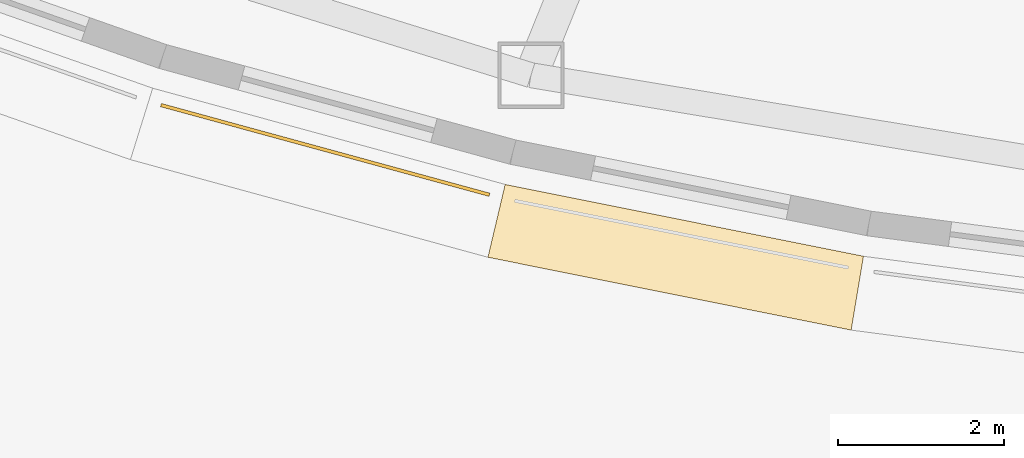
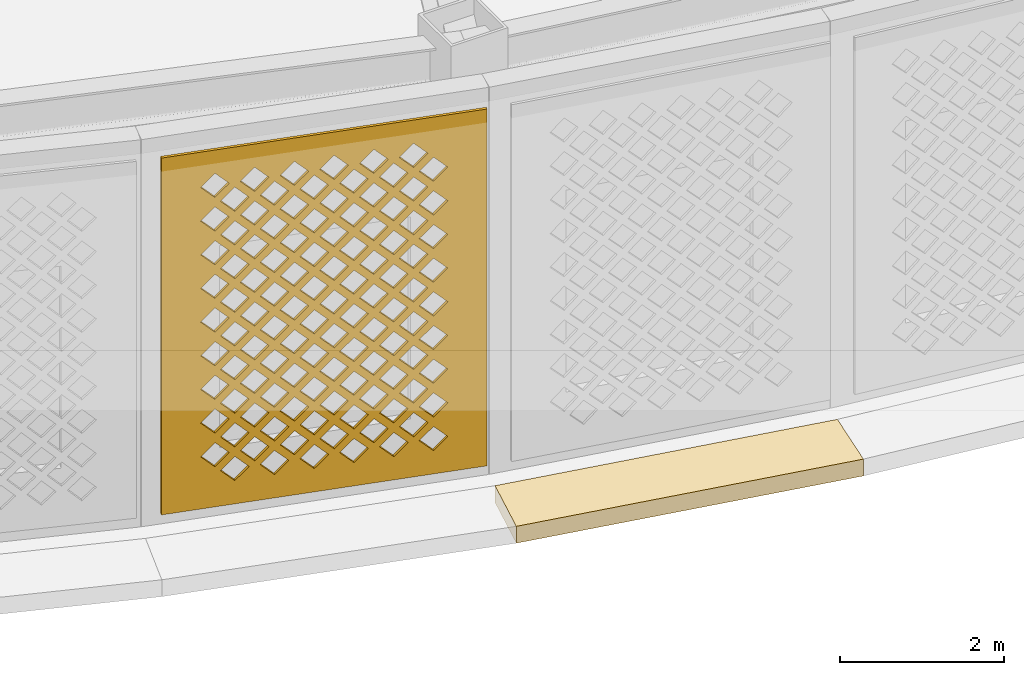
# One storey, part 53 of 74: 2 coverings.
"""IFC4 building model written with IfcOpenShell, lengths in metres."""

from ifc_helpers import new_model, si_unit, direction, frame, origin, place, context, subcontext, project, spatial, polyline, outline, extrude, material, layer, layer_set, type_object, element, save


model = new_model("IFC4")

# Units and contexts
model_context = context("Model", 3, precision=1e-05, world=origin(), true_north=direction((0.0, 1.0)))
body_context = subcontext(model_context, "Body", "Model", "MODEL_VIEW")
ifc_project = project(units=[si_unit("LENGTHUNIT", "METRE"), si_unit("AREAUNIT", "SQUARE_METRE"), si_unit("VOLUMEUNIT", "CUBIC_METRE"), si_unit("PLANEANGLEUNIT", "RADIAN"), si_unit("MASSUNIT", "GRAM", prefix="KILO")], contexts=[model_context])

# Site, building, storey
site_placement = place(None, origin())
site = spatial("IfcSite", under=ifc_project, at=site_placement, CompositionType="ELEMENT")
building_placement = place(site_placement, origin())
building = spatial("IfcBuilding", under=site, at=building_placement, Name="Noorbagh Ring Tower", CompositionType="ELEMENT")
storey_placement = place(building_placement, frame((0.0, 0.0, 7.5)))
storey = spatial("IfcBuildingStorey", under=building, at=storey_placement, Name="L01", CompositionType="ELEMENT", Elevation=7.5)

# Coverings
ifc_material_1 = material(Name="Red sandstone eave", Category="masonry")
covering_type_1 = type_object("IfcCoveringType", Name="STY-CHHAJJA", PredefinedType="USERDEFINED", material=ifc_material_1)
covering_1_placement = place(storey_placement, frame((0.0, 0.0, -0.25)))
element("IfcCovering", 1, at=covering_1_placement, inside=storey, type_object=covering_type_1, Name="Chhajja eave", ObjectType="CHHAJJA", PredefinedType="USERDEFINED", context=body_context, shape_type="SweptSolid", body=[
    extrude(outline(polyline([(-15.2568359375, -38.239501953125), (-10.945556640625, -39.103759765625), (-11.093017578125, -39.9921875), (-15.464111328125, -39.115966796875), (-15.2568359375, -38.239501953125)])), origin(), (0.0, 0.0, 1.0), 0.25),
])
ifc_material_2 = material(Name="Red sandstone jali", Category="masonry")
ifc_layer = layer(ifc_material_2, 0.0400390625)
ifc_layer_set = layer_set([ifc_layer], Name="Red sandstone jali")
covering_type_2 = type_object("IfcCoveringType", Name="STY-JALI", PredefinedType="USERDEFINED", material=ifc_layer_set)
covering_2_placement = place(storey_placement, frame((-19.40380859375, -37.30419921875, 0.449951171875), z_axis=(-0.26339977228, -0.964686767797, 0.0), x_axis=(0.964686767797, -0.26339977228, 0.0)))
element("IfcCovering", 2, at=covering_2_placement, inside=storey, type_object=covering_type_2, Name="Jali screen", ObjectType="SCREEN", PredefinedType="USERDEFINED", context=body_context, shape_type="SweptSolid", body=[
    extrude(outline(polyline([(0.0, 0.0), (4.096923828125, 0.0), (4.096923828125, 5.300048828125), (0.0, 5.300048828125), (0.0, 0.0)]), holes=[polyline([(0.743408203125, 0.52490234375), (0.923583984375, 0.344970703125), (1.103515625, 0.52490234375), (0.923583984375, 0.705078125), (0.743408203125, 0.52490234375)]), polyline([(1.243408203125, 0.52490234375), (1.423583984375, 0.344970703125), (1.603515625, 0.52490234375), (1.423583984375, 0.705078125), (1.243408203125, 0.52490234375)]), polyline([(1.743408203125, 0.52490234375), (1.923583984375, 0.344970703125), (2.103515625, 0.52490234375), (1.923583984375, 0.705078125), (1.743408203125, 0.52490234375)]), polyline([(2.243408203125, 0.52490234375), (2.423583984375, 0.344970703125), (2.603515625, 0.52490234375), (2.423583984375, 0.705078125), (2.243408203125, 0.52490234375)]), polyline([(2.743408203125, 0.52490234375), (2.923583984375, 0.344970703125), (3.103515625, 0.52490234375), (2.923583984375, 0.705078125), (2.743408203125, 0.52490234375)]), polyline([(3.243408203125, 0.52490234375), (3.423583984375, 0.344970703125), (3.603515625, 0.52490234375), (3.423583984375, 0.705078125), (3.243408203125, 0.52490234375)]), polyline([(0.493408203125, 0.77490234375), (0.673583984375, 0.594970703125), (0.853515625, 0.77490234375), (0.673583984375, 0.955078125), (0.493408203125, 0.77490234375)]), polyline([(0.993408203125, 0.77490234375), (1.173583984375, 0.594970703125), (1.353515625, 0.77490234375), (1.173583984375, 0.955078125), (0.993408203125, 0.77490234375)]), polyline([(1.493408203125, 0.77490234375), (1.673583984375, 0.594970703125), (1.853515625, 0.77490234375), (1.673583984375, 0.955078125), (1.493408203125, 0.77490234375)]), polyline([(1.993408203125, 0.77490234375), (2.173583984375, 0.594970703125), (2.353515625, 0.77490234375), (2.173583984375, 0.955078125), (1.993408203125, 0.77490234375)]), polyline([(2.493408203125, 0.77490234375), (2.673583984375, 0.594970703125), (2.853515625, 0.77490234375), (2.673583984375, 0.955078125), (2.493408203125, 0.77490234375)]), polyline([(2.993408203125, 0.77490234375), (3.173583984375, 0.594970703125), (3.353515625, 0.77490234375), (3.173583984375, 0.955078125), (2.993408203125, 0.77490234375)]), polyline([(0.743408203125, 1.02490234375), (0.923583984375, 0.844970703125), (1.103515625, 1.02490234375), (0.923583984375, 1.205078125), (0.743408203125, 1.02490234375)]), polyline([(1.243408203125, 1.02490234375), (1.423583984375, 0.844970703125), (1.603515625, 1.02490234375), (1.423583984375, 1.205078125), (1.243408203125, 1.02490234375)]), polyline([(1.743408203125, 1.02490234375), (1.923583984375, 0.844970703125), (2.103515625, 1.02490234375), (1.923583984375, 1.205078125), (1.743408203125, 1.02490234375)]), polyline([(2.243408203125, 1.02490234375), (2.423583984375, 0.844970703125), (2.603515625, 1.02490234375), (2.423583984375, 1.205078125), (2.243408203125, 1.02490234375)]), polyline([(2.743408203125, 1.02490234375), (2.923583984375, 0.844970703125), (3.103515625, 1.02490234375), (2.923583984375, 1.205078125), (2.743408203125, 1.02490234375)]), polyline([(3.243408203125, 1.02490234375), (3.423583984375, 0.844970703125), (3.603515625, 1.02490234375), (3.423583984375, 1.205078125), (3.243408203125, 1.02490234375)]), polyline([(0.493408203125, 1.27490234375), (0.673583984375, 1.094970703125), (0.853515625, 1.27490234375), (0.673583984375, 1.455078125), (0.493408203125, 1.27490234375)]), polyline([(0.993408203125, 1.27490234375), (1.173583984375, 1.094970703125), (1.353515625, 1.27490234375), (1.173583984375, 1.455078125), (0.993408203125, 1.27490234375)]), polyline([(1.493408203125, 1.27490234375), (1.673583984375, 1.094970703125), (1.853515625, 1.27490234375), (1.673583984375, 1.455078125), (1.493408203125, 1.27490234375)]), polyline([(1.993408203125, 1.27490234375), (2.173583984375, 1.094970703125), (2.353515625, 1.27490234375), (2.173583984375, 1.455078125), (1.993408203125, 1.27490234375)]), polyline([(2.493408203125, 1.27490234375), (2.673583984375, 1.094970703125), (2.853515625, 1.27490234375), (2.673583984375, 1.455078125), (2.493408203125, 1.27490234375)]), polyline([(2.993408203125, 1.27490234375), (3.173583984375, 1.094970703125), (3.353515625, 1.27490234375), (3.173583984375, 1.455078125), (2.993408203125, 1.27490234375)]), polyline([(0.743408203125, 1.52490234375), (0.923583984375, 1.344970703125), (1.103515625, 1.52490234375), (0.923583984375, 1.705078125), (0.743408203125, 1.52490234375)]), polyline([(1.243408203125, 1.52490234375), (1.423583984375, 1.344970703125), (1.603515625, 1.52490234375), (1.423583984375, 1.705078125), (1.243408203125, 1.52490234375)]), polyline([(1.743408203125, 1.52490234375), (1.923583984375, 1.344970703125), (2.103515625, 1.52490234375), (1.923583984375, 1.705078125), (1.743408203125, 1.52490234375)]), polyline([(2.243408203125, 1.52490234375), (2.423583984375, 1.344970703125), (2.603515625, 1.52490234375), (2.423583984375, 1.705078125), (2.243408203125, 1.52490234375)]), polyline([(2.743408203125, 1.52490234375), (2.923583984375, 1.344970703125), (3.103515625, 1.52490234375), (2.923583984375, 1.705078125), (2.743408203125, 1.52490234375)]), polyline([(3.243408203125, 1.52490234375), (3.423583984375, 1.344970703125), (3.603515625, 1.52490234375), (3.423583984375, 1.705078125), (3.243408203125, 1.52490234375)]), polyline([(0.493408203125, 1.77490234375), (0.673583984375, 1.594970703125), (0.853515625, 1.77490234375), (0.673583984375, 1.955078125), (0.493408203125, 1.77490234375)]), polyline([(0.993408203125, 1.77490234375), (1.173583984375, 1.594970703125), (1.353515625, 1.77490234375), (1.173583984375, 1.955078125), (0.993408203125, 1.77490234375)]), polyline([(1.493408203125, 1.77490234375), (1.673583984375, 1.594970703125), (1.853515625, 1.77490234375), (1.673583984375, 1.955078125), (1.493408203125, 1.77490234375)]), polyline([(1.993408203125, 1.77490234375), (2.173583984375, 1.594970703125), (2.353515625, 1.77490234375), (2.173583984375, 1.955078125), (1.993408203125, 1.77490234375)]), polyline([(2.493408203125, 1.77490234375), (2.673583984375, 1.594970703125), (2.853515625, 1.77490234375), (2.673583984375, 1.955078125), (2.493408203125, 1.77490234375)]), polyline([(2.993408203125, 1.77490234375), (3.173583984375, 1.594970703125), (3.353515625, 1.77490234375), (3.173583984375, 1.955078125), (2.993408203125, 1.77490234375)]), polyline([(0.743408203125, 2.02490234375), (0.923583984375, 1.844970703125), (1.103515625, 2.02490234375), (0.923583984375, 2.205078125), (0.743408203125, 2.02490234375)]), polyline([(1.243408203125, 2.02490234375), (1.423583984375, 1.844970703125), (1.603515625, 2.02490234375), (1.423583984375, 2.205078125), (1.243408203125, 2.02490234375)]), polyline([(1.743408203125, 2.02490234375), (1.923583984375, 1.844970703125), (2.103515625, 2.02490234375), (1.923583984375, 2.205078125), (1.743408203125, 2.02490234375)]), polyline([(2.243408203125, 2.02490234375), (2.423583984375, 1.844970703125), (2.603515625, 2.02490234375), (2.423583984375, 2.205078125), (2.243408203125, 2.02490234375)]), polyline([(2.743408203125, 2.02490234375), (2.923583984375, 1.844970703125), (3.103515625, 2.02490234375), (2.923583984375, 2.205078125), (2.743408203125, 2.02490234375)]), polyline([(3.243408203125, 2.02490234375), (3.423583984375, 1.844970703125), (3.603515625, 2.02490234375), (3.423583984375, 2.205078125), (3.243408203125, 2.02490234375)]), polyline([(0.493408203125, 2.27490234375), (0.673583984375, 2.094970703125), (0.853515625, 2.27490234375), (0.673583984375, 2.455078125), (0.493408203125, 2.27490234375)]), polyline([(0.993408203125, 2.27490234375), (1.173583984375, 2.094970703125), (1.353515625, 2.27490234375), (1.173583984375, 2.455078125), (0.993408203125, 2.27490234375)]), polyline([(1.493408203125, 2.27490234375), (1.673583984375, 2.094970703125), (1.853515625, 2.27490234375), (1.673583984375, 2.455078125), (1.493408203125, 2.27490234375)]), polyline([(1.993408203125, 2.27490234375), (2.173583984375, 2.094970703125), (2.353515625, 2.27490234375), (2.173583984375, 2.455078125), (1.993408203125, 2.27490234375)]), polyline([(2.493408203125, 2.27490234375), (2.673583984375, 2.094970703125), (2.853515625, 2.27490234375), (2.673583984375, 2.455078125), (2.493408203125, 2.27490234375)]), polyline([(2.993408203125, 2.27490234375), (3.173583984375, 2.094970703125), (3.353515625, 2.27490234375), (3.173583984375, 2.455078125), (2.993408203125, 2.27490234375)]), polyline([(0.743408203125, 2.52490234375), (0.923583984375, 2.344970703125), (1.103515625, 2.52490234375), (0.923583984375, 2.705078125), (0.743408203125, 2.52490234375)]), polyline([(1.243408203125, 2.52490234375), (1.423583984375, 2.344970703125), (1.603515625, 2.52490234375), (1.423583984375, 2.705078125), (1.243408203125, 2.52490234375)]), polyline([(1.743408203125, 2.52490234375), (1.923583984375, 2.344970703125), (2.103515625, 2.52490234375), (1.923583984375, 2.705078125), (1.743408203125, 2.52490234375)]), polyline([(2.243408203125, 2.52490234375), (2.423583984375, 2.344970703125), (2.603515625, 2.52490234375), (2.423583984375, 2.705078125), (2.243408203125, 2.52490234375)]), polyline([(2.743408203125, 2.52490234375), (2.923583984375, 2.344970703125), (3.103515625, 2.52490234375), (2.923583984375, 2.705078125), (2.743408203125, 2.52490234375)]), polyline([(3.243408203125, 2.52490234375), (3.423583984375, 2.344970703125), (3.603515625, 2.52490234375), (3.423583984375, 2.705078125), (3.243408203125, 2.52490234375)]), polyline([(0.493408203125, 2.77490234375), (0.673583984375, 2.594970703125), (0.853515625, 2.77490234375), (0.673583984375, 2.955078125), (0.493408203125, 2.77490234375)]), polyline([(0.993408203125, 2.77490234375), (1.173583984375, 2.594970703125), (1.353515625, 2.77490234375), (1.173583984375, 2.955078125), (0.993408203125, 2.77490234375)]), polyline([(1.493408203125, 2.77490234375), (1.673583984375, 2.594970703125), (1.853515625, 2.77490234375), (1.673583984375, 2.955078125), (1.493408203125, 2.77490234375)]), polyline([(1.993408203125, 2.77490234375), (2.173583984375, 2.594970703125), (2.353515625, 2.77490234375), (2.173583984375, 2.955078125), (1.993408203125, 2.77490234375)]), polyline([(2.493408203125, 2.77490234375), (2.673583984375, 2.594970703125), (2.853515625, 2.77490234375), (2.673583984375, 2.955078125), (2.493408203125, 2.77490234375)]), polyline([(2.993408203125, 2.77490234375), (3.173583984375, 2.594970703125), (3.353515625, 2.77490234375), (3.173583984375, 2.955078125), (2.993408203125, 2.77490234375)]), polyline([(0.743408203125, 3.02490234375), (0.923583984375, 2.844970703125), (1.103515625, 3.02490234375), (0.923583984375, 3.205078125), (0.743408203125, 3.02490234375)]), polyline([(1.243408203125, 3.02490234375), (1.423583984375, 2.844970703125), (1.603515625, 3.02490234375), (1.423583984375, 3.205078125), (1.243408203125, 3.02490234375)]), polyline([(1.743408203125, 3.02490234375), (1.923583984375, 2.844970703125), (2.103515625, 3.02490234375), (1.923583984375, 3.205078125), (1.743408203125, 3.02490234375)]), polyline([(2.243408203125, 3.02490234375), (2.423583984375, 2.844970703125), (2.603515625, 3.02490234375), (2.423583984375, 3.205078125), (2.243408203125, 3.02490234375)]), polyline([(2.743408203125, 3.02490234375), (2.923583984375, 2.844970703125), (3.103515625, 3.02490234375), (2.923583984375, 3.205078125), (2.743408203125, 3.02490234375)]), polyline([(3.243408203125, 3.02490234375), (3.423583984375, 2.844970703125), (3.603515625, 3.02490234375), (3.423583984375, 3.205078125), (3.243408203125, 3.02490234375)]), polyline([(0.493408203125, 3.27490234375), (0.673583984375, 3.094970703125), (0.853515625, 3.27490234375), (0.673583984375, 3.455078125), (0.493408203125, 3.27490234375)]), polyline([(0.993408203125, 3.27490234375), (1.173583984375, 3.094970703125), (1.353515625, 3.27490234375), (1.173583984375, 3.455078125), (0.993408203125, 3.27490234375)]), polyline([(1.493408203125, 3.27490234375), (1.673583984375, 3.094970703125), (1.853515625, 3.27490234375), (1.673583984375, 3.455078125), (1.493408203125, 3.27490234375)]), polyline([(1.993408203125, 3.27490234375), (2.173583984375, 3.094970703125), (2.353515625, 3.27490234375), (2.173583984375, 3.455078125), (1.993408203125, 3.27490234375)]), polyline([(2.493408203125, 3.27490234375), (2.673583984375, 3.094970703125), (2.853515625, 3.27490234375), (2.673583984375, 3.455078125), (2.493408203125, 3.27490234375)]), polyline([(2.993408203125, 3.27490234375), (3.173583984375, 3.094970703125), (3.353515625, 3.27490234375), (3.173583984375, 3.455078125), (2.993408203125, 3.27490234375)]), polyline([(0.743408203125, 3.52490234375), (0.923583984375, 3.344970703125), (1.103515625, 3.52490234375), (0.923583984375, 3.705078125), (0.743408203125, 3.52490234375)]), polyline([(1.243408203125, 3.52490234375), (1.423583984375, 3.344970703125), (1.603515625, 3.52490234375), (1.423583984375, 3.705078125), (1.243408203125, 3.52490234375)]), polyline([(1.743408203125, 3.52490234375), (1.923583984375, 3.344970703125), (2.103515625, 3.52490234375), (1.923583984375, 3.705078125), (1.743408203125, 3.52490234375)]), polyline([(2.243408203125, 3.52490234375), (2.423583984375, 3.344970703125), (2.603515625, 3.52490234375), (2.423583984375, 3.705078125), (2.243408203125, 3.52490234375)]), polyline([(2.743408203125, 3.52490234375), (2.923583984375, 3.344970703125), (3.103515625, 3.52490234375), (2.923583984375, 3.705078125), (2.743408203125, 3.52490234375)]), polyline([(3.243408203125, 3.52490234375), (3.423583984375, 3.344970703125), (3.603515625, 3.52490234375), (3.423583984375, 3.705078125), (3.243408203125, 3.52490234375)]), polyline([(0.493408203125, 3.77490234375), (0.673583984375, 3.594970703125), (0.853515625, 3.77490234375), (0.673583984375, 3.955078125), (0.493408203125, 3.77490234375)]), polyline([(0.993408203125, 3.77490234375), (1.173583984375, 3.594970703125), (1.353515625, 3.77490234375), (1.173583984375, 3.955078125), (0.993408203125, 3.77490234375)]), polyline([(1.493408203125, 3.77490234375), (1.673583984375, 3.594970703125), (1.853515625, 3.77490234375), (1.673583984375, 3.955078125), (1.493408203125, 3.77490234375)]), polyline([(1.993408203125, 3.77490234375), (2.173583984375, 3.594970703125), (2.353515625, 3.77490234375), (2.173583984375, 3.955078125), (1.993408203125, 3.77490234375)]), polyline([(2.493408203125, 3.77490234375), (2.673583984375, 3.594970703125), (2.853515625, 3.77490234375), (2.673583984375, 3.955078125), (2.493408203125, 3.77490234375)]), polyline([(2.993408203125, 3.77490234375), (3.173583984375, 3.594970703125), (3.353515625, 3.77490234375), (3.173583984375, 3.955078125), (2.993408203125, 3.77490234375)]), polyline([(0.743408203125, 4.02490234375), (0.923583984375, 3.844970703125), (1.103515625, 4.02490234375), (0.923583984375, 4.205078125), (0.743408203125, 4.02490234375)]), polyline([(1.243408203125, 4.02490234375), (1.423583984375, 3.844970703125), (1.603515625, 4.02490234375), (1.423583984375, 4.205078125), (1.243408203125, 4.02490234375)]), polyline([(1.743408203125, 4.02490234375), (1.923583984375, 3.844970703125), (2.103515625, 4.02490234375), (1.923583984375, 4.205078125), (1.743408203125, 4.02490234375)]), polyline([(2.243408203125, 4.02490234375), (2.423583984375, 3.844970703125), (2.603515625, 4.02490234375), (2.423583984375, 4.205078125), (2.243408203125, 4.02490234375)]), polyline([(2.743408203125, 4.02490234375), (2.923583984375, 3.844970703125), (3.103515625, 4.02490234375), (2.923583984375, 4.205078125), (2.743408203125, 4.02490234375)]), polyline([(3.243408203125, 4.02490234375), (3.423583984375, 3.844970703125), (3.603515625, 4.02490234375), (3.423583984375, 4.205078125), (3.243408203125, 4.02490234375)]), polyline([(0.493408203125, 4.27490234375), (0.673583984375, 4.094970703125), (0.853515625, 4.27490234375), (0.673583984375, 4.455078125), (0.493408203125, 4.27490234375)]), polyline([(0.993408203125, 4.27490234375), (1.173583984375, 4.094970703125), (1.353515625, 4.27490234375), (1.173583984375, 4.455078125), (0.993408203125, 4.27490234375)]), polyline([(1.493408203125, 4.27490234375), (1.673583984375, 4.094970703125), (1.853515625, 4.27490234375), (1.673583984375, 4.455078125), (1.493408203125, 4.27490234375)]), polyline([(1.993408203125, 4.27490234375), (2.173583984375, 4.094970703125), (2.353515625, 4.27490234375), (2.173583984375, 4.455078125), (1.993408203125, 4.27490234375)]), polyline([(2.493408203125, 4.27490234375), (2.673583984375, 4.094970703125), (2.853515625, 4.27490234375), (2.673583984375, 4.455078125), (2.493408203125, 4.27490234375)]), polyline([(2.993408203125, 4.27490234375), (3.173583984375, 4.094970703125), (3.353515625, 4.27490234375), (3.173583984375, 4.455078125), (2.993408203125, 4.27490234375)]), polyline([(0.743408203125, 4.52490234375), (0.923583984375, 4.344970703125), (1.103515625, 4.52490234375), (0.923583984375, 4.705078125), (0.743408203125, 4.52490234375)]), polyline([(1.243408203125, 4.52490234375), (1.423583984375, 4.344970703125), (1.603515625, 4.52490234375), (1.423583984375, 4.705078125), (1.243408203125, 4.52490234375)]), polyline([(1.743408203125, 4.52490234375), (1.923583984375, 4.344970703125), (2.103515625, 4.52490234375), (1.923583984375, 4.705078125), (1.743408203125, 4.52490234375)]), polyline([(2.243408203125, 4.52490234375), (2.423583984375, 4.344970703125), (2.603515625, 4.52490234375), (2.423583984375, 4.705078125), (2.243408203125, 4.52490234375)]), polyline([(2.743408203125, 4.52490234375), (2.923583984375, 4.344970703125), (3.103515625, 4.52490234375), (2.923583984375, 4.705078125), (2.743408203125, 4.52490234375)]), polyline([(3.243408203125, 4.52490234375), (3.423583984375, 4.344970703125), (3.603515625, 4.52490234375), (3.423583984375, 4.705078125), (3.243408203125, 4.52490234375)]), polyline([(0.493408203125, 4.77490234375), (0.673583984375, 4.594970703125), (0.853515625, 4.77490234375), (0.673583984375, 4.955078125), (0.493408203125, 4.77490234375)]), polyline([(0.993408203125, 4.77490234375), (1.173583984375, 4.594970703125), (1.353515625, 4.77490234375), (1.173583984375, 4.955078125), (0.993408203125, 4.77490234375)]), polyline([(1.493408203125, 4.77490234375), (1.673583984375, 4.594970703125), (1.853515625, 4.77490234375), (1.673583984375, 4.955078125), (1.493408203125, 4.77490234375)]), polyline([(1.993408203125, 4.77490234375), (2.173583984375, 4.594970703125), (2.353515625, 4.77490234375), (2.173583984375, 4.955078125), (1.993408203125, 4.77490234375)]), polyline([(2.493408203125, 4.77490234375), (2.673583984375, 4.594970703125), (2.853515625, 4.77490234375), (2.673583984375, 4.955078125), (2.493408203125, 4.77490234375)]), polyline([(2.993408203125, 4.77490234375), (3.173583984375, 4.594970703125), (3.353515625, 4.77490234375), (3.173583984375, 4.955078125), (2.993408203125, 4.77490234375)])]), origin(), (0.0, 0.0, -1.0), 0.0400390625),
])

save(model, "model.ifc")
